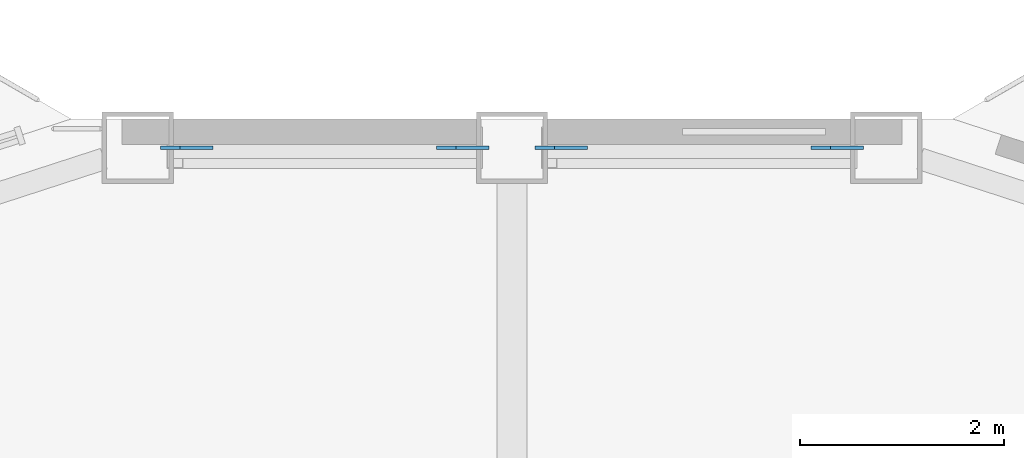
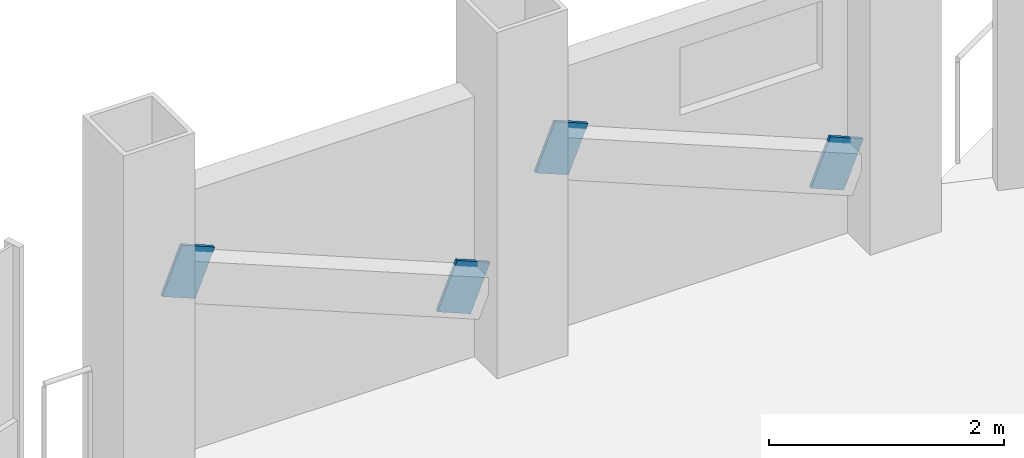
# One storey, part 18 of 24: 4 discrete accessories.
"""IFC4 building model written with IfcOpenShell, lengths in metres."""

from ifc_helpers import new_model, si_unit, direction, frame, origin, origin_2d, place, context, subcontext, project, spatial, rectangle, extrude, material, material_profile, profile_set, type_object, element, save


model = new_model("IFC4")

# Units and contexts
model_context = context("Model", 3, precision=1e-05, world=origin(), true_north=direction((0.0, 1.0)))
body_context = subcontext(model_context, "Body", "Model", "MODEL_VIEW")
ifc_project = project(units=[si_unit("LENGTHUNIT", "METRE"), si_unit("AREAUNIT", "SQUARE_METRE"), si_unit("VOLUMEUNIT", "CUBIC_METRE"), si_unit("PLANEANGLEUNIT", "RADIAN"), si_unit("MASSUNIT", "GRAM", prefix="KILO")], contexts=[model_context])

# Site, building, storey
site_placement = place(None, origin())
site = spatial("IfcSite", under=ifc_project, at=site_placement, CompositionType="ELEMENT")
building_placement = place(site_placement, origin())
building = spatial("IfcBuilding", under=site, at=building_placement, Name="Cormorant Prow Tower", CompositionType="ELEMENT")
storey_placement = place(building_placement, frame((0.0, 0.0, 234.60009765625)))
storey = spatial("IfcBuildingStorey", under=building, at=storey_placement, Name="L51", CompositionType="ELEMENT", Elevation=234.60009765625)

# Discrete accessories
ifc_material = material(Name="Structural steel ASTM A500 Gr C", Category="steel")
ifc_material_profile = material_profile(ifc_material, rectangle(XDim=0.031982421875, YDim=0.506103515625, at=origin_2d()), Name="Gusset plate 32x506")
ifc_profile_set = profile_set([ifc_material_profile], Name="Structural steel ASTM A500 Gr C")
discrete_accessory_type = type_object("IfcDiscreteAccessoryType", Name="Gusset plate 32x506", PredefinedType="BRACKET", material=ifc_profile_set)
for number, where, z_axis, x_axis, name in (
    (1, (3.027099609375, 32.073486328125, 0.863037109375), (0.925513623242, 0.0, -0.378714316067), (0.0, 1.0, 0.0), "Gusset plate GP2 L51.N00.g0"),
    (2, (0.643310546875, 32.073486328125, 1.837646484375), (-0.925513623242, 0.0, 0.378714316067), (0.0, -1.0, 0.0), "Gusset plate GP2 L51.N00.g1"),
    (3, (-0.643310546875, 32.073486328125, 0.863037109375), (0.925513623242, 0.0, -0.378714316067), (0.0, 1.0, 0.0), "Gusset plate GP2 L51.N01.g0"),
    (4, (-3.027099609375, 32.073486328125, 1.837646484375), (-0.925513623242, 0.0, 0.378714316067), (0.0, -1.0, 0.0), "Gusset plate GP2 L51.N01.g1"),
):
    element("IfcDiscreteAccessory", number, at=place(storey_placement, frame(where, z_axis=z_axis, x_axis=x_axis)), inside=storey, type_object=discrete_accessory_type, Name=name, PredefinedType="BRACKET", context=body_context, shape_type="SweptSolid", body=[
        extrude(rectangle(XDim=0.031982421875, YDim=0.506103515625, at=origin_2d()), origin(), (0.0, 0.0, 1.0), 0.35009765625),
    ])

save(model, "model.ifc")
